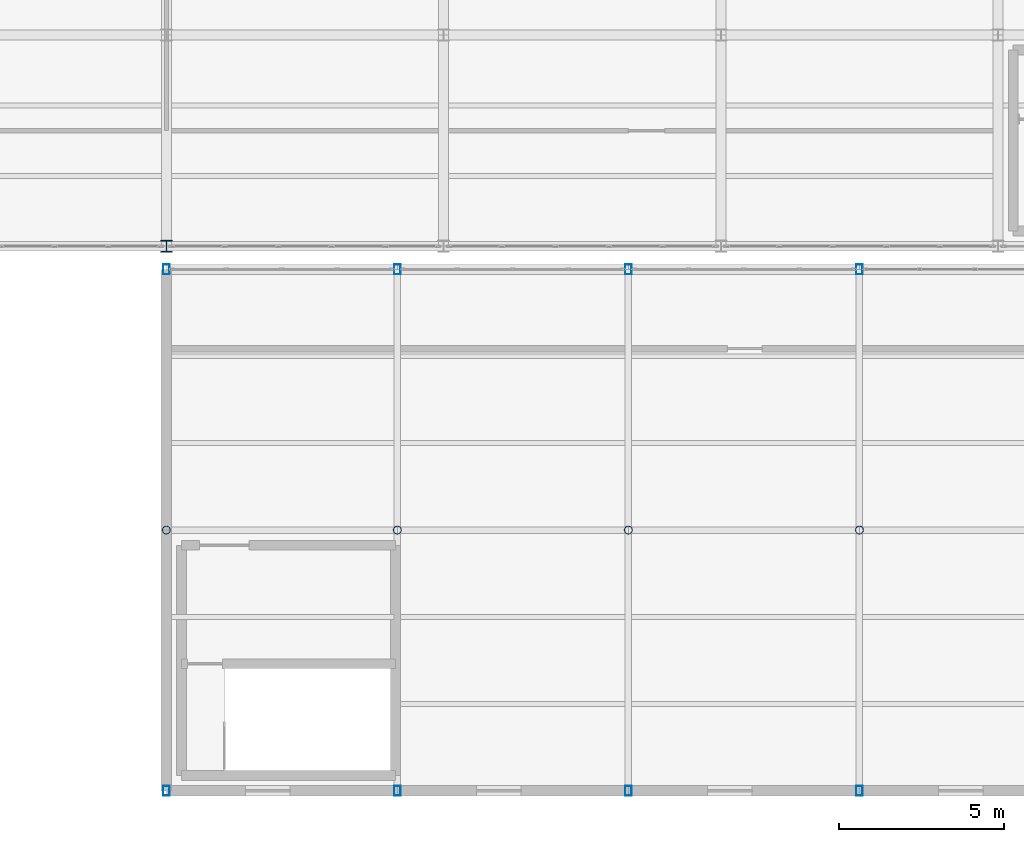
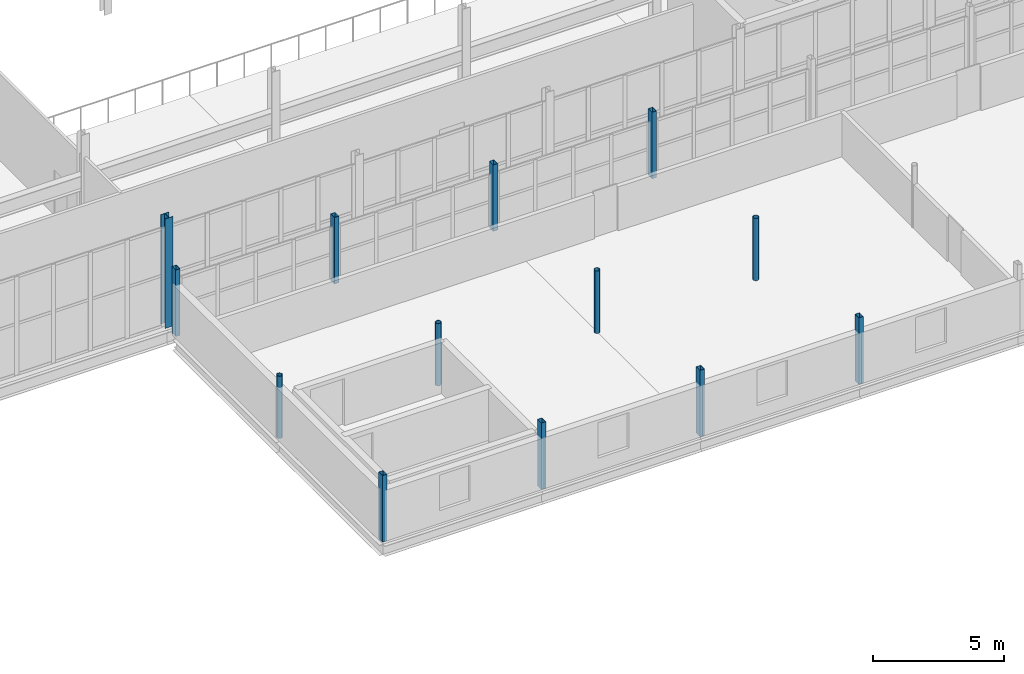
# One storey, part 6 of 218: 13 columns.
"""IFC4 building model written with IfcOpenShell, lengths in metres."""

from ifc_helpers import new_model, si_unit, direction, frame, origin, origin_2d, place, context, subcontext, project, spatial, hollow_rectangle, hollow_circle, i_section, extrude, material, material_profile, profile_set, type_object, element, save


model = new_model("IFC4")

# Units and contexts
model_context = context("Model", 3, precision=1e-05, world=origin(), true_north=direction((0.0, 1.0)))
body_context = subcontext(model_context, "Body", "Model", "MODEL_VIEW")
ifc_project = project(units=[si_unit("LENGTHUNIT", "METRE"), si_unit("AREAUNIT", "SQUARE_METRE"), si_unit("VOLUMEUNIT", "CUBIC_METRE"), si_unit("PLANEANGLEUNIT", "RADIAN"), si_unit("MASSUNIT", "GRAM", prefix="KILO")], contexts=[model_context])

# Site, building, storey
site_placement = place(None, origin())
site = spatial("IfcSite", under=ifc_project, at=site_placement, CompositionType="ELEMENT")
building_placement = place(site_placement, origin())
building = spatial("IfcBuilding", under=site, at=building_placement, Name="Kazenagashi Tramway Depot", CompositionType="ELEMENT")
storey_placement = place(building_placement, frame((0.0, 0.0, 6.0)))
storey = spatial("IfcBuildingStorey", under=building, at=storey_placement, Name="L02", CompositionType="ELEMENT", Elevation=6.0)

# Columns
ifc_material_1 = material(Name="Steel SN490B", Category="steel")
ifc_material_profile_1 = material_profile(ifc_material_1, i_section(OverallWidth=0.35, OverallDepth=0.35, WebThickness=0.012, FlangeThickness=0.019, at=origin_2d()), Name="H-350x350x12x19")
ifc_profile_set_1 = profile_set([ifc_material_profile_1], Name="Steel SN490B")
column_type_1 = type_object("IfcColumnType", Name="C-04", PredefinedType="COLUMN", material=ifc_profile_set_1)
column_placement = place(storey_placement, frame((103.6, 16.5, 0.0), z_axis=(0.0, 0.0, 1.0), x_axis=(1.0, 0.0, 0.0)))
element("IfcColumn", 1, at=column_placement, inside=storey, type_object=column_type_1, Name="Column C-04 COL-0264", PredefinedType="COLUMN", context=body_context, shape_type="SweptSolid", body=[
    extrude(i_section(OverallWidth=0.35, OverallDepth=0.35, WebThickness=0.012, FlangeThickness=0.019, at=origin_2d()), origin(), (0.0, 0.0, 1.0), 5.1),
])
ifc_material_2 = material(Name="Steel STKR490", Category="steel")
ifc_material_profile_2 = material_profile(ifc_material_2, hollow_rectangle(XDim=0.2, YDim=0.3, WallThickness=0.009, at=origin_2d()), Name="RHS-300x200x9")
ifc_profile_set_2 = profile_set([ifc_material_profile_2], Name="Steel STKR490")
column_type_2 = type_object("IfcColumnType", Name="C-12", PredefinedType="COLUMN", material=ifc_profile_set_2)
for number, where, z_axis, x_axis, name in (
    (2, (103.6, 0.0, 0.0), (0.0, 0.0, 1.0), (1.0, 0.0, 0.0), "Column C-12 COL-0807"),
    (3, (103.6, 15.8, 0.0), (0.0, 0.0, 1.0), (1.0, 0.0, 0.0), "Column C-12 COL-0811"),
    (4, (110.6, 0.0, 0.0), (0.0, 0.0, 1.0), (1.0, 0.0, 0.0), "Column C-12 COL-0813"),
    (5, (110.6, 15.8, 0.0), (0.0, 0.0, 1.0), (1.0, 0.0, 0.0), "Column C-12 COL-0817"),
    (6, (117.6, 0.0, 0.0), (0.0, 0.0, 1.0), (1.0, 0.0, 0.0), "Column C-12 COL-0819"),
    (7, (117.6, 15.8, 0.0), (0.0, 0.0, 1.0), (1.0, 0.0, 0.0), "Column C-12 COL-0823"),
    (8, (124.6, 0.0, 0.0), (0.0, 0.0, 1.0), (1.0, 0.0, 0.0), "Column C-12 COL-0825"),
    (9, (124.6, 15.8, 0.0), (0.0, 0.0, 1.0), (1.0, 0.0, 0.0), "Column C-12 COL-0829"),
):
    element("IfcColumn", number, at=place(storey_placement, frame(where, z_axis=z_axis, x_axis=x_axis)), inside=storey, type_object=column_type_2, Name=name, PredefinedType="COLUMN", context=body_context, shape_type="SweptSolid", body=[
        extrude(hollow_rectangle(XDim=0.2, YDim=0.3, WallThickness=0.009, at=origin_2d()), origin(), (0.0, 0.0, 1.0), 3.1),
    ])
ifc_material_3 = material(Name="Steel STK490", Category="steel")
ifc_material_profile_3 = material_profile(ifc_material_3, hollow_circle(Radius=0.1209, WallThickness=0.0088, at=origin_2d()), Name="CHS-241.8x8.8")
ifc_profile_set_3 = profile_set([ifc_material_profile_3], Name="Steel STK490")
column_type_3 = type_object("IfcColumnType", Name="C-22", PredefinedType="COLUMN", material=ifc_profile_set_3)
for number, where, z_axis, x_axis, name in (
    (10, (103.6, 7.9, 0.0), (0.0, 0.0, 1.0), (1.0, 0.0, 0.0), "Column C-22 COL-0809"),
    (11, (110.6, 7.9, 0.0), (0.0, 0.0, 1.0), (1.0, 0.0, 0.0), "Column C-22 COL-0815"),
    (12, (117.6, 7.9, 0.0), (0.0, 0.0, 1.0), (1.0, 0.0, 0.0), "Column C-22 COL-0821"),
    (13, (124.6, 7.9, 0.0), (0.0, 0.0, 1.0), (1.0, 0.0, 0.0), "Column C-22 COL-0827"),
):
    element("IfcColumn", number, at=place(storey_placement, frame(where, z_axis=z_axis, x_axis=x_axis)), inside=storey, type_object=column_type_3, Name=name, PredefinedType="COLUMN", context=body_context, shape_type="SweptSolid", body=[
        extrude(hollow_circle(Radius=0.1209, WallThickness=0.0088, at=origin_2d()), origin(), (0.0, 0.0, 1.0), 2.9),
    ])

save(model, "model.ifc")
